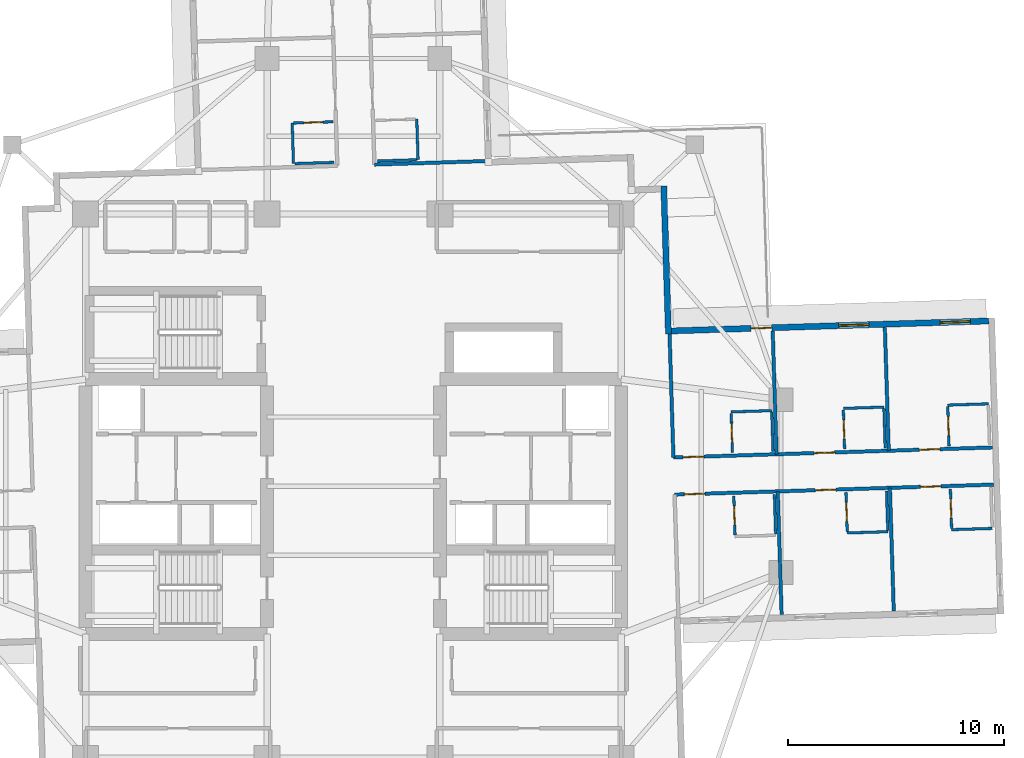
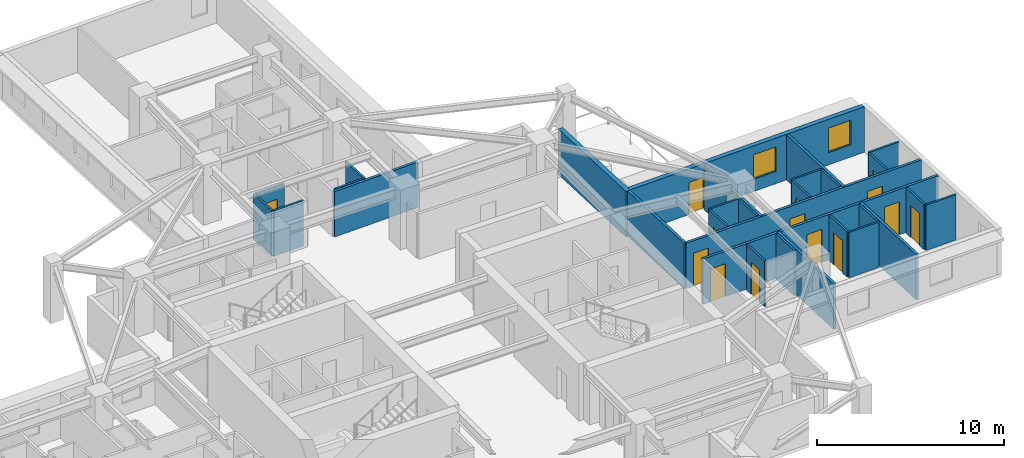
# One storey, part 7 of 14: 30 walls, 14 doors, 2 windows, 16 openings.
"""IFC4 building model written with IfcOpenShell, lengths in metres."""

from ifc_helpers import new_model, si_unit, direction, frame, frame_2d, origin, place, context, subcontext, project, spatial, rectangle, extrude, material, layer, layer_set, type_object, element, fill, save


model = new_model("IFC4")

# Units and contexts
model_context = context("Model", 3, precision=1e-05, world=origin(), true_north=direction((0.0, 1.0)))
body_context = subcontext(model_context, "Body", "Model", "MODEL_VIEW")
ifc_project = project(units=[si_unit("LENGTHUNIT", "METRE"), si_unit("AREAUNIT", "SQUARE_METRE"), si_unit("VOLUMEUNIT", "CUBIC_METRE"), si_unit("PLANEANGLEUNIT", "RADIAN"), si_unit("MASSUNIT", "GRAM", prefix="KILO")], contexts=[model_context])

# Site, building, storey
site_placement = place(None, origin())
site = spatial("IfcSite", under=ifc_project, at=site_placement, CompositionType="ELEMENT")
building_placement = place(site_placement, origin())
building = spatial("IfcBuilding", under=site, at=building_placement, Name="Qingluan Cross Belvedere", CompositionType="ELEMENT")
storey_placement = place(building_placement, frame((0.0, 0.0, 135.89990234375)))
storey = spatial("IfcBuildingStorey", under=building, at=storey_placement, Name="L34", CompositionType="ELEMENT", Elevation=135.89990234375)

# Wall, openings, doors
ifc_material_1 = material(Name="Gypsum plasterboard on steel stud acoustic partition", Category="steel")
ifc_layer_1 = layer(ifc_material_1, 0.159912109375, Name="CorridorPartition_160")
ifc_layer_set_1 = layer_set([ifc_layer_1], Name="Gypsum plasterboard on steel stud acoustic partition")
wall_type_1 = type_object("IfcWallType", Name="CorridorPartition_160", PredefinedType="PARTITIONING", material=ifc_layer_set_1)
wall_1_placement = place(storey_placement, frame((14.815673828125, 1.325927734375, 0.0), z_axis=(0.0, 0.0, 1.0), x_axis=(0.999506468759, 0.031413673903, 0.0)))
wall_1 = element("IfcWall", 1, at=wall_1_placement, inside=storey, type_object=wall_type_1, Name="Partition L34:E:c0", PredefinedType="PARTITIONING", context=body_context, shape_type="SweptSolid", body=[
    extrude(rectangle(XDim=14.781982421875, YDim=0.159912109375, at=frame_2d((7.39111328125, 0.0))), origin(), (0.0, 0.0, 1.0), 2.960205078125),
])
opening_1_placement = place(wall_1_placement, frame((0.449951171875, 0.0, 0.0)))
opening_1 = element("IfcOpeningElement", 2, at=opening_1_placement, cuts=wall_1, Name="Opening GD-10", PredefinedType="OPENING", context=body_context, shape_type="SweptSolid", body=[
    extrude(rectangle(XDim=0.9599609375, YDim=2.14990234375, at=frame_2d((0.47998046875, 1.074951171875))), frame((0.0, 0.08984375, 0.0), z_axis=(0.0, -1.0, 0.0), x_axis=(1.0, 0.0, 0.0)), (0.0, 0.0, 1.0), 0.179931640625),
])
opening_2_placement = place(wall_1_placement, frame((6.513916015625, 0.0, 0.0)))
opening_2 = element("IfcOpeningElement", 3, at=opening_2_placement, cuts=wall_1, Name="Opening GD-10", PredefinedType="OPENING", context=body_context, shape_type="SweptSolid", body=[
    extrude(rectangle(XDim=0.9599609375, YDim=2.14990234375, at=frame_2d((0.47998046875, 1.074951171875))), frame((0.0, 0.08984375, 0.0), z_axis=(0.0, -1.0, 0.0), x_axis=(1.0, 0.0, 0.0)), (0.0, 0.0, 1.0), 0.179931640625),
])
opening_3_placement = place(wall_1_placement, frame((11.385986328125, 0.0, 0.0)))
opening_3 = element("IfcOpeningElement", 4, at=opening_3_placement, cuts=wall_1, Name="Opening GD-10", PredefinedType="OPENING", context=body_context, shape_type="SweptSolid", body=[
    extrude(rectangle(XDim=0.9599609375, YDim=2.14990234375, at=frame_2d((0.47998046875, 1.074951171875))), frame((0.0, 0.08984375, 0.0), z_axis=(0.0, -1.0, 0.0), x_axis=(1.0, 0.0, 0.0)), (0.0, 0.0, 1.0), 0.179931640625),
])
ifc_material_2 = material(Name="Timber oak fire-rated acoustic guestroom door", Category="wood")
door_type_1 = type_object("IfcDoorType", Name="GuestEntryDoor_FD60", OperationType="NOTDEFINED", PredefinedType="DOOR", material=ifc_material_2)
door_1_placement = place(opening_1_placement, origin())
door_1 = element("IfcDoor", 5, at=door_1_placement, inside=storey, type_object=door_type_1, Name="Guest entry fire door 3401", OperationType="SINGLE_SWING_RIGHT", OverallHeight=2.14990234375, OverallWidth=0.9599609375, PredefinedType="DOOR", context=body_context, shape_type="SweptSolid", body=[
    extrude(rectangle(XDim=0.9599609375, YDim=2.14990234375, at=frame_2d((0.47998046875, 1.074951171875))), frame((0.0, 0.02490234375, 0.0), z_axis=(0.0, -1.0, 0.0), x_axis=(1.0, 0.0, 0.0)), (0.0, 0.0, 1.0), 0.050048828125),
])
fill(opening_1, door_1)
door_2_placement = place(opening_2_placement, origin())
door_2 = element("IfcDoor", 6, at=door_2_placement, inside=storey, type_object=door_type_1, Name="Guest entry fire door 3402", OperationType="SINGLE_SWING_RIGHT", OverallHeight=2.14990234375, OverallWidth=0.9599609375, PredefinedType="DOOR", context=body_context, shape_type="SweptSolid", body=[
    extrude(rectangle(XDim=0.9599609375, YDim=2.14990234375, at=frame_2d((0.47998046875, 1.074951171875))), frame((0.0, 0.02490234375, 0.0), z_axis=(0.0, -1.0, 0.0), x_axis=(1.0, 0.0, 0.0)), (0.0, 0.0, 1.0), 0.050048828125),
])
fill(opening_2, door_2)
door_3_placement = place(opening_3_placement, origin())
door_3 = element("IfcDoor", 7, at=door_3_placement, inside=storey, type_object=door_type_1, Name="Guest entry fire door 3403", OperationType="SINGLE_SWING_RIGHT", OverallHeight=2.14990234375, OverallWidth=0.9599609375, PredefinedType="DOOR", context=body_context, shape_type="SweptSolid", body=[
    extrude(rectangle(XDim=0.9599609375, YDim=2.14990234375, at=frame_2d((0.47998046875, 1.074951171875))), frame((0.0, 0.02490234375, 0.0), z_axis=(0.0, -1.0, 0.0), x_axis=(1.0, 0.0, 0.0)), (0.0, 0.0, 1.0), 0.050048828125),
])
fill(opening_3, door_3)

# Walls
for number, where, z_axis, x_axis, name in (
    (8, (14.815673828125, 1.325927734375, 0.0), (0.0, 0.0, 1.0), (-0.031414891017, 0.999506430506, 0.0), "Partition L34:E:s0"),
    (9, (19.59130859375, 1.47607421875, 0.0), (0.0, 0.0, 1.0), (-0.031414891017, 0.999506430506, 0.0), "Partition L34:E:d0_0"),
):
    element("IfcWall", number, at=place(storey_placement, frame(where, z_axis=z_axis, x_axis=x_axis)), inside=storey, type_object=wall_type_1, Name=name, PredefinedType="PARTITIONING", context=body_context, shape_type="SweptSolid", body=[
        extrude(rectangle(XDim=5.712158203125, YDim=0.159912109375, at=frame_2d((2.85595703125, 0.0))), origin(), (0.0, 0.0, 1.0), 2.960205078125),
    ])
wall_2_placement = place(storey_placement, frame((24.78369140625, 1.639404296875, 0.0), z_axis=(0.0, 0.0, 1.0), x_axis=(-0.031416233126, 0.999506388322, 0.0)))
element("IfcWall", 10, at=wall_2_placement, inside=storey, type_object=wall_type_1, Name="Partition L34:E:d0_1", PredefinedType="PARTITIONING", context=body_context, shape_type="SweptSolid", body=[
    extrude(rectangle(XDim=5.7119140625, YDim=0.159912109375, at=frame_2d((2.85595703125, 0.0))), origin(), (0.0, 0.0, 1.0), 2.960205078125),
])

# Wall, openings, doors
wall_3_placement = place(storey_placement, frame((14.86962890625, -0.39306640625, 0.0), z_axis=(0.0, 0.0, 1.0), x_axis=(0.999506468759, 0.031413673903, 0.0)))
wall_3 = element("IfcWall", 11, at=wall_3_placement, inside=storey, type_object=wall_type_1, Name="Partition L34:E:c1", PredefinedType="PARTITIONING", context=body_context, shape_type="SweptSolid", body=[
    extrude(rectangle(XDim=14.781982421875, YDim=0.159912109375, at=frame_2d((7.39111328125, 0.0))), origin(), (0.0, 0.0, 1.0), 2.960205078125),
])
opening_4_placement = place(wall_3_placement, frame((0.449951171875, 0.0, 0.0)))
opening_4 = element("IfcOpeningElement", 12, at=opening_4_placement, cuts=wall_3, Name="Opening GD-10", PredefinedType="OPENING", context=body_context, shape_type="SweptSolid", body=[
    extrude(rectangle(XDim=0.9599609375, YDim=2.14990234375, at=frame_2d((0.47998046875, 1.074951171875))), frame((0.0, 0.08984375, 0.0), z_axis=(0.0, -1.0, 0.0), x_axis=(1.0, 0.0, 0.0)), (0.0, 0.0, 1.0), 0.179931640625),
])
opening_5_placement = place(wall_3_placement, frame((6.513916015625, 0.0, 0.0)))
opening_5 = element("IfcOpeningElement", 13, at=opening_5_placement, cuts=wall_3, Name="Opening GD-10", PredefinedType="OPENING", context=body_context, shape_type="SweptSolid", body=[
    extrude(rectangle(XDim=0.9599609375, YDim=2.14990234375, at=frame_2d((0.47998046875, 1.074951171875))), frame((0.0, 0.08984375, 0.0), z_axis=(0.0, -1.0, 0.0), x_axis=(1.0, 0.0, 0.0)), (0.0, 0.0, 1.0), 0.179931640625),
])
opening_6_placement = place(wall_3_placement, frame((11.385986328125, 0.0, 0.0)))
opening_6 = element("IfcOpeningElement", 14, at=opening_6_placement, cuts=wall_3, Name="Opening GD-10", PredefinedType="OPENING", context=body_context, shape_type="SweptSolid", body=[
    extrude(rectangle(XDim=0.9599609375, YDim=2.14990234375, at=frame_2d((0.47998046875, 1.074951171875))), frame((0.0, 0.08984375, 0.0), z_axis=(0.0, -1.0, 0.0), x_axis=(1.0, 0.0, 0.0)), (0.0, 0.0, 1.0), 0.179931640625),
])
door_4_placement = place(opening_4_placement, origin())
door_4 = element("IfcDoor", 15, at=door_4_placement, inside=storey, type_object=door_type_1, Name="Guest entry fire door 3404", OperationType="SINGLE_SWING_RIGHT", OverallHeight=2.14990234375, OverallWidth=0.9599609375, PredefinedType="DOOR", context=body_context, shape_type="SweptSolid", body=[
    extrude(rectangle(XDim=0.9599609375, YDim=2.14990234375, at=frame_2d((0.47998046875, 1.074951171875))), frame((0.0, 0.02490234375, 0.0), z_axis=(0.0, -1.0, 0.0), x_axis=(1.0, 0.0, 0.0)), (0.0, 0.0, 1.0), 0.050048828125),
])
fill(opening_4, door_4)
door_5_placement = place(opening_5_placement, origin())
door_5 = element("IfcDoor", 16, at=door_5_placement, inside=storey, type_object=door_type_1, Name="Guest entry fire door 3405", OperationType="SINGLE_SWING_RIGHT", OverallHeight=2.14990234375, OverallWidth=0.9599609375, PredefinedType="DOOR", context=body_context, shape_type="SweptSolid", body=[
    extrude(rectangle(XDim=0.9599609375, YDim=2.14990234375, at=frame_2d((0.47998046875, 1.074951171875))), frame((0.0, 0.02490234375, 0.0), z_axis=(0.0, -1.0, 0.0), x_axis=(1.0, 0.0, 0.0)), (0.0, 0.0, 1.0), 0.050048828125),
])
fill(opening_5, door_5)
door_6_placement = place(opening_6_placement, origin())
door_6 = element("IfcDoor", 17, at=door_6_placement, inside=storey, type_object=door_type_1, Name="Guest entry fire door 3406", OperationType="SINGLE_SWING_RIGHT", OverallHeight=2.14990234375, OverallWidth=0.9599609375, PredefinedType="DOOR", context=body_context, shape_type="SweptSolid", body=[
    extrude(rectangle(XDim=0.9599609375, YDim=2.14990234375, at=frame_2d((0.47998046875, 1.074951171875))), frame((0.0, 0.02490234375, 0.0), z_axis=(0.0, -1.0, 0.0), x_axis=(1.0, 0.0, 0.0)), (0.0, 0.0, 1.0), 0.050048828125),
])
fill(opening_6, door_6)

# Walls
for number, where, z_axis, x_axis, name in (
    (18, (19.645263671875, -0.242919921875, 0.0), (0.0, 0.0, 1.0), (0.031414891017, -0.999506430506, 0.0), "Partition L34:E:d1_0"),
    (19, (24.837890625, -0.079833984375, 0.0), (0.0, 0.0, 1.0), (0.031372191763, -0.999507771648, 0.0), "Partition L34:E:d1_1"),
):
    element("IfcWall", number, at=place(storey_placement, frame(where, z_axis=z_axis, x_axis=x_axis)), inside=storey, type_object=wall_type_1, Name=name, PredefinedType="PARTITIONING", context=body_context, shape_type="SweptSolid", body=[
        extrude(rectangle(XDim=5.712158203125, YDim=0.159912109375, at=frame_2d((2.85595703125, 0.0))), origin(), (0.0, 0.0, 1.0), 2.960205078125),
    ])
wall_4_placement = place(storey_placement, frame((0.972900390625, 14.887939453125, 0.0), z_axis=(0.0, 0.0, 1.0), x_axis=(0.99950701053, 0.031396431354, 0.0)))
element("IfcWall", 20, at=wall_4_placement, inside=storey, type_object=wall_type_1, Name="Partition L34:N:s0", PredefinedType="PARTITIONING", context=body_context, shape_type="SweptSolid", body=[
    extrude(rectangle(XDim=5.280029296875, YDim=0.159912109375, at=frame_2d((2.64013671875, 0.0))), origin(), (0.0, 0.0, 1.0), 2.960205078125),
])

# Wall, opening, door
ifc_material_3 = material(Name="Moisture-resistant gypsum board lining")
ifc_layer_2 = layer(ifc_material_3, 0.1201171875, Name="EnsuiteWetPartition_120")
ifc_layer_set_2 = layer_set([ifc_layer_2], Name="Moisture-resistant gypsum board lining")
wall_type_2 = type_object("IfcWallType", Name="EnsuiteWetPartition_120", PredefinedType="PARTITIONING", material=ifc_layer_set_2)
wall_5_placement = place(storey_placement, frame((17.5478515625, 1.552001953125, 0.0), z_axis=(0.0, 0.0, 1.0), x_axis=(-0.031389704724, 0.999507221803, 0.0)))
wall_5 = element("IfcWall", 21, at=wall_5_placement, inside=storey, type_object=wall_type_2, Name="Partition L34:E:bs0_0", PredefinedType="PARTITIONING", context=body_context, shape_type="SweptSolid", body=[
    extrude(rectangle(XDim=1.820068359375, YDim=0.1201171875, at=frame_2d((0.91015625, 0.0))), origin(), (0.0, 0.0, 1.0), 2.960205078125),
])
opening_7_placement = place(wall_5_placement, frame((0.469970703125, 0.0, 0.0)))
opening_7 = element("IfcOpeningElement", 22, at=opening_7_placement, cuts=wall_5, Name="Opening BD-09", PredefinedType="OPENING", context=body_context, shape_type="SweptSolid", body=[
    extrude(rectangle(XDim=0.8798828125, YDim=2.10009765625, at=frame_2d((0.43994140625, 1.050048828125))), frame((0.0, 0.070068359375, 0.0), z_axis=(0.0, -1.0, 0.0), x_axis=(1.0, 0.0, 0.0)), (0.0, 0.0, 1.0), 0.14013671875),
])
ifc_material_4 = material(Name="Moisture-sealed timber en-suite door", Category="wood")
door_type_2 = type_object("IfcDoorType", Name="BathroomDoor_880", OperationType="NOTDEFINED", PredefinedType="DOOR", material=ifc_material_4)
door_7_placement = place(opening_7_placement, origin())
door_7 = element("IfcDoor", 23, at=door_7_placement, inside=storey, type_object=door_type_2, Name="Bathroom door 3401", OperationType="SINGLE_SWING_LEFT", OverallHeight=2.10009765625, OverallWidth=0.8798828125, PredefinedType="DOOR", context=body_context, shape_type="SweptSolid", body=[
    extrude(rectangle(XDim=0.8798828125, YDim=2.10009765625, at=frame_2d((0.43994140625, 1.050048828125))), frame((0.0, 0.02490234375, 0.0), z_axis=(0.0, -1.0, 0.0), x_axis=(1.0, 0.0, 0.0)), (0.0, 0.0, 1.0), 0.050048828125),
])
fill(opening_7, door_7)

# Walls
wall_6_placement = place(storey_placement, frame((19.427001953125, 1.611083984375, 0.0), z_axis=(0.0, 0.0, 1.0), x_axis=(-0.031389704724, 0.999507221803, 0.0)))
element("IfcWall", 24, at=wall_6_placement, inside=storey, type_object=wall_type_2, Name="Partition L34:E:bw0_0", PredefinedType="PARTITIONING", context=body_context, shape_type="SweptSolid", body=[
    extrude(rectangle(XDim=1.820068359375, YDim=0.1201171875, at=frame_2d((0.91015625, 0.0))), origin(), (0.0, 0.0, 1.0), 2.960205078125),
])
wall_7_placement = place(storey_placement, frame((17.48876953125, 3.43603515625, 0.0), z_axis=(0.0, 0.0, 1.0), x_axis=(0.999506103526, 0.031425292588, 0.0)))
element("IfcWall", 25, at=wall_7_placement, inside=storey, type_object=wall_type_2, Name="Partition L34:E:bn0_0", PredefinedType="PARTITIONING", context=body_context, shape_type="SweptSolid", body=[
    extrude(rectangle(XDim=1.880126953125, YDim=0.1201171875, at=frame_2d((0.93994140625, 0.0))), origin(), (0.0, 0.0, 1.0), 2.960205078125),
])

# Wall, opening, door
wall_8_placement = place(storey_placement, frame((22.740234375, 1.715087890625, 0.0), z_axis=(0.0, 0.0, 1.0), x_axis=(-0.031389704724, 0.999507221803, 0.0)))
wall_8 = element("IfcWall", 26, at=wall_8_placement, inside=storey, type_object=wall_type_2, Name="Partition L34:E:bs0_1", PredefinedType="PARTITIONING", context=body_context, shape_type="SweptSolid", body=[
    extrude(rectangle(XDim=1.820068359375, YDim=0.1201171875, at=frame_2d((0.91015625, 0.0))), origin(), (0.0, 0.0, 1.0), 2.960205078125),
])
opening_8_placement = place(wall_8_placement, frame((0.469970703125, 0.0, 0.0)))
opening_8 = element("IfcOpeningElement", 27, at=opening_8_placement, cuts=wall_8, Name="Opening BD-09", PredefinedType="OPENING", context=body_context, shape_type="SweptSolid", body=[
    extrude(rectangle(XDim=0.8798828125, YDim=2.10009765625, at=frame_2d((0.43994140625, 1.050048828125))), frame((0.0, 0.070068359375, 0.0), z_axis=(0.0, -1.0, 0.0), x_axis=(1.0, 0.0, 0.0)), (0.0, 0.0, 1.0), 0.14013671875),
])
door_8_placement = place(opening_8_placement, origin())
door_8 = element("IfcDoor", 28, at=door_8_placement, inside=storey, type_object=door_type_2, Name="Bathroom door 3402", OperationType="SINGLE_SWING_LEFT", OverallHeight=2.10009765625, OverallWidth=0.8798828125, PredefinedType="DOOR", context=body_context, shape_type="SweptSolid", body=[
    extrude(rectangle(XDim=0.8798828125, YDim=2.10009765625, at=frame_2d((0.43994140625, 1.050048828125))), frame((0.0, 0.02490234375, 0.0), z_axis=(0.0, -1.0, 0.0), x_axis=(1.0, 0.0, 0.0)), (0.0, 0.0, 1.0), 0.050048828125),
])
fill(opening_8, door_8)

# Walls
wall_9_placement = place(storey_placement, frame((24.619384765625, 1.774169921875, 0.0), z_axis=(0.0, 0.0, 1.0), x_axis=(-0.031389704724, 0.999507221803, 0.0)))
element("IfcWall", 29, at=wall_9_placement, inside=storey, type_object=wall_type_2, Name="Partition L34:E:bw0_1", PredefinedType="PARTITIONING", context=body_context, shape_type="SweptSolid", body=[
    extrude(rectangle(XDim=1.820068359375, YDim=0.1201171875, at=frame_2d((0.91015625, 0.0))), origin(), (0.0, 0.0, 1.0), 2.960205078125),
])
wall_10_placement = place(storey_placement, frame((22.68115234375, 3.59912109375, 0.0), z_axis=(0.0, 0.0, 1.0), x_axis=(0.999506103526, 0.031425292588, 0.0)))
element("IfcWall", 30, at=wall_10_placement, inside=storey, type_object=wall_type_2, Name="Partition L34:E:bn0_1", PredefinedType="PARTITIONING", context=body_context, shape_type="SweptSolid", body=[
    extrude(rectangle(XDim=1.880126953125, YDim=0.1201171875, at=frame_2d((0.93994140625, 0.0))), origin(), (0.0, 0.0, 1.0), 2.960205078125),
])

# Wall, opening, door
wall_11_placement = place(storey_placement, frame((27.574951171875, 1.8671875, 0.0), z_axis=(0.0, 0.0, 1.0), x_axis=(-0.031389704724, 0.999507221803, 0.0)))
wall_11 = element("IfcWall", 31, at=wall_11_placement, inside=storey, type_object=wall_type_2, Name="Partition L34:E:bs0_2", PredefinedType="PARTITIONING", context=body_context, shape_type="SweptSolid", body=[
    extrude(rectangle(XDim=1.820068359375, YDim=0.1201171875, at=frame_2d((0.91015625, 0.0))), origin(), (0.0, 0.0, 1.0), 2.960205078125),
])
opening_9_placement = place(wall_11_placement, frame((0.469970703125, 0.0, 0.0)))
opening_9 = element("IfcOpeningElement", 32, at=opening_9_placement, cuts=wall_11, Name="Opening BD-09", PredefinedType="OPENING", context=body_context, shape_type="SweptSolid", body=[
    extrude(rectangle(XDim=0.8798828125, YDim=2.10009765625, at=frame_2d((0.43994140625, 1.050048828125))), frame((0.0, 0.070068359375, 0.0), z_axis=(0.0, -1.0, 0.0), x_axis=(1.0, 0.0, 0.0)), (0.0, 0.0, 1.0), 0.14013671875),
])
door_9_placement = place(opening_9_placement, origin())
door_9 = element("IfcDoor", 33, at=door_9_placement, inside=storey, type_object=door_type_2, Name="Bathroom door 3403", OperationType="SINGLE_SWING_LEFT", OverallHeight=2.10009765625, OverallWidth=0.8798828125, PredefinedType="DOOR", context=body_context, shape_type="SweptSolid", body=[
    extrude(rectangle(XDim=0.8798828125, YDim=2.10009765625, at=frame_2d((0.43994140625, 1.050048828125))), frame((0.0, 0.02490234375, 0.0), z_axis=(0.0, -1.0, 0.0), x_axis=(1.0, 0.0, 0.0)), (0.0, 0.0, 1.0), 0.050048828125),
])
fill(opening_9, door_9)

# Wall
wall_12_placement = place(storey_placement, frame((27.515869140625, 3.751220703125, 0.0), z_axis=(0.0, 0.0, 1.0), x_axis=(0.999505975261, 0.031429371883, 0.0)))
element("IfcWall", 34, at=wall_12_placement, inside=storey, type_object=wall_type_2, Name="Partition L34:E:bn0_2", PredefinedType="PARTITIONING", context=body_context, shape_type="SweptSolid", body=[
    extrude(rectangle(XDim=1.8798828125, YDim=0.1201171875, at=frame_2d((0.93994140625, 0.0))), origin(), (0.0, 0.0, 1.0), 2.960205078125),
])

# Wall, opening, door
wall_13_placement = place(storey_placement, frame((17.66796875, -2.26611328125, 0.0), z_axis=(0.0, 0.0, 1.0), x_axis=(-0.03152371574, 0.999503004171, 0.0)))
wall_13 = element("IfcWall", 35, at=wall_13_placement, inside=storey, type_object=wall_type_2, Name="Partition L34:E:bs1_0", PredefinedType="PARTITIONING", context=body_context, shape_type="SweptSolid", body=[
    extrude(rectangle(XDim=1.820068359375, YDim=0.1201171875, at=frame_2d((0.91015625, 0.0))), origin(), (0.0, 0.0, 1.0), 2.960205078125),
])
opening_10_placement = place(wall_13_placement, frame((0.469970703125, 0.0, 0.0)))
opening_10 = element("IfcOpeningElement", 36, at=opening_10_placement, cuts=wall_13, Name="Opening BD-09", PredefinedType="OPENING", context=body_context, shape_type="SweptSolid", body=[
    extrude(rectangle(XDim=0.8798828125, YDim=2.10009765625, at=frame_2d((0.43994140625, 1.050048828125))), frame((0.0, 0.070068359375, 0.0), z_axis=(0.0, -1.0, 0.0), x_axis=(1.0, 0.0, 0.0)), (0.0, 0.0, 1.0), 0.14013671875),
])
door_10_placement = place(opening_10_placement, origin())
door_10 = element("IfcDoor", 37, at=door_10_placement, inside=storey, type_object=door_type_2, Name="Bathroom door 3404", OperationType="SINGLE_SWING_LEFT", OverallHeight=2.10009765625, OverallWidth=0.8798828125, PredefinedType="DOOR", context=body_context, shape_type="SweptSolid", body=[
    extrude(rectangle(XDim=0.8798828125, YDim=2.10009765625, at=frame_2d((0.43994140625, 1.050048828125))), frame((0.0, 0.02490234375, 0.0), z_axis=(0.0, -1.0, 0.0), x_axis=(1.0, 0.0, 0.0)), (0.0, 0.0, 1.0), 0.050048828125),
])
fill(opening_10, door_10)

# Wall
wall_14_placement = place(storey_placement, frame((19.547119140625, -2.20703125, 0.0), z_axis=(0.0, 0.0, 1.0), x_axis=(-0.03152371574, 0.999503004171, 0.0)))
element("IfcWall", 38, at=wall_14_placement, inside=storey, type_object=wall_type_2, Name="Partition L34:E:bw1_0", PredefinedType="PARTITIONING", context=body_context, shape_type="SweptSolid", body=[
    extrude(rectangle(XDim=1.820068359375, YDim=0.1201171875, at=frame_2d((0.91015625, 0.0))), origin(), (0.0, 0.0, 1.0), 2.960205078125),
])

# Wall, opening, door
wall_15_placement = place(storey_placement, frame((22.8603515625, -2.10302734375, 0.0), z_axis=(0.0, 0.0, 1.0), x_axis=(-0.031389704724, 0.999507221803, 0.0)))
wall_15 = element("IfcWall", 39, at=wall_15_placement, inside=storey, type_object=wall_type_2, Name="Partition L34:E:bs1_1", PredefinedType="PARTITIONING", context=body_context, shape_type="SweptSolid", body=[
    extrude(rectangle(XDim=1.820068359375, YDim=0.1201171875, at=frame_2d((0.91015625, 0.0))), origin(), (0.0, 0.0, 1.0), 2.960205078125),
])
opening_11_placement = place(wall_15_placement, frame((0.469970703125, 0.0, 0.0)))
opening_11 = element("IfcOpeningElement", 40, at=opening_11_placement, cuts=wall_15, Name="Opening BD-09", PredefinedType="OPENING", context=body_context, shape_type="SweptSolid", body=[
    extrude(rectangle(XDim=0.8798828125, YDim=2.10009765625, at=frame_2d((0.43994140625, 1.050048828125))), frame((0.0, 0.070068359375, 0.0), z_axis=(0.0, -1.0, 0.0), x_axis=(1.0, 0.0, 0.0)), (0.0, 0.0, 1.0), 0.14013671875),
])
door_11_placement = place(opening_11_placement, origin())
door_11 = element("IfcDoor", 41, at=door_11_placement, inside=storey, type_object=door_type_2, Name="Bathroom door 3405", OperationType="SINGLE_SWING_LEFT", OverallHeight=2.10009765625, OverallWidth=0.8798828125, PredefinedType="DOOR", context=body_context, shape_type="SweptSolid", body=[
    extrude(rectangle(XDim=0.8798828125, YDim=2.10009765625, at=frame_2d((0.43994140625, 1.050048828125))), frame((0.0, 0.02490234375, 0.0), z_axis=(0.0, -1.0, 0.0), x_axis=(1.0, 0.0, 0.0)), (0.0, 0.0, 1.0), 0.050048828125),
])
fill(opening_11, door_11)

# Walls
wall_16_placement = place(storey_placement, frame((24.739501953125, -2.0439453125, 0.0), z_axis=(0.0, 0.0, 1.0), x_axis=(-0.03152371574, 0.999503004171, 0.0)))
element("IfcWall", 42, at=wall_16_placement, inside=storey, type_object=wall_type_2, Name="Partition L34:E:bw1_1", PredefinedType="PARTITIONING", context=body_context, shape_type="SweptSolid", body=[
    extrude(rectangle(XDim=1.820068359375, YDim=0.1201171875, at=frame_2d((0.91015625, 0.0))), origin(), (0.0, 0.0, 1.0), 2.960205078125),
])
wall_17_placement = place(storey_placement, frame((22.8623046875, -2.16796875, 0.0), z_axis=(0.0, 0.0, 1.0), x_axis=(0.999506103526, 0.031425292588, 0.0)))
element("IfcWall", 43, at=wall_17_placement, inside=storey, type_object=wall_type_2, Name="Partition L34:E:bc1_1", PredefinedType="PARTITIONING", context=body_context, shape_type="SweptSolid", body=[
    extrude(rectangle(XDim=1.880126953125, YDim=0.1201171875, at=frame_2d((0.93994140625, 0.0))), origin(), (0.0, 0.0, 1.0), 2.960205078125),
])

# Wall, opening, door
wall_18_placement = place(storey_placement, frame((27.69482421875, -1.950927734375, 0.0), z_axis=(0.0, 0.0, 1.0), x_axis=(-0.031389704724, 0.999507221803, 0.0)))
wall_18 = element("IfcWall", 44, at=wall_18_placement, inside=storey, type_object=wall_type_2, Name="Partition L34:E:bs1_2", PredefinedType="PARTITIONING", context=body_context, shape_type="SweptSolid", body=[
    extrude(rectangle(XDim=1.820068359375, YDim=0.1201171875, at=frame_2d((0.91015625, 0.0))), origin(), (0.0, 0.0, 1.0), 2.960205078125),
])
opening_12_placement = place(wall_18_placement, frame((0.469970703125, 0.0, 0.0)))
opening_12 = element("IfcOpeningElement", 45, at=opening_12_placement, cuts=wall_18, Name="Opening BD-09", PredefinedType="OPENING", context=body_context, shape_type="SweptSolid", body=[
    extrude(rectangle(XDim=0.8798828125, YDim=2.10009765625, at=frame_2d((0.43994140625, 1.050048828125))), frame((0.0, 0.070068359375, 0.0), z_axis=(0.0, -1.0, 0.0), x_axis=(1.0, 0.0, 0.0)), (0.0, 0.0, 1.0), 0.14013671875),
])
door_12_placement = place(opening_12_placement, origin())
door_12 = element("IfcDoor", 46, at=door_12_placement, inside=storey, type_object=door_type_2, Name="Bathroom door 3406", OperationType="SINGLE_SWING_LEFT", OverallHeight=2.10009765625, OverallWidth=0.8798828125, PredefinedType="DOOR", context=body_context, shape_type="SweptSolid", body=[
    extrude(rectangle(XDim=0.8798828125, YDim=2.10009765625, at=frame_2d((0.43994140625, 1.050048828125))), frame((0.0, 0.02490234375, 0.0), z_axis=(0.0, -1.0, 0.0), x_axis=(1.0, 0.0, 0.0)), (0.0, 0.0, 1.0), 0.050048828125),
])
fill(opening_12, door_12)

# Walls
wall_19_placement = place(storey_placement, frame((27.697021484375, -2.01611328125, 0.0), z_axis=(0.0, 0.0, 1.0), x_axis=(0.999506103526, 0.031425292588, 0.0)))
element("IfcWall", 47, at=wall_19_placement, inside=storey, type_object=wall_type_2, Name="Partition L34:E:bc1_2", PredefinedType="PARTITIONING", context=body_context, shape_type="SweptSolid", body=[
    extrude(rectangle(XDim=1.880126953125, YDim=0.1201171875, at=frame_2d((0.93994140625, 0.0))), origin(), (0.0, 0.0, 1.0), 2.960205078125),
])
wall_20_placement = place(storey_placement, frame((1.107666015625, 15.05224609375, 0.0), z_axis=(0.0, 0.0, 1.0), x_axis=(0.999507221803, 0.031389704724, 0.0)))
element("IfcWall", 48, at=wall_20_placement, inside=storey, type_object=wall_type_2, Name="Partition L34:N:bw0_0", PredefinedType="PARTITIONING", context=body_context, shape_type="SweptSolid", body=[
    extrude(rectangle(XDim=1.820068359375, YDim=0.1201171875, at=frame_2d((0.91015625, 0.0))), origin(), (0.0, 0.0, 1.0), 2.960205078125),
])
wall_21_placement = place(storey_placement, frame((2.99169921875, 15.111328125, 0.0), z_axis=(0.0, 0.0, 1.0), x_axis=(-0.031295563454, 0.999510173889, 0.0)))
element("IfcWall", 49, at=wall_21_placement, inside=storey, type_object=wall_type_2, Name="Partition L34:N:bn0_0", PredefinedType="PARTITIONING", context=body_context, shape_type="SweptSolid", body=[
    extrude(rectangle(XDim=1.880126953125, YDim=0.1201171875, at=frame_2d((0.93994140625, 0.0))), origin(), (0.0, 0.0, 1.0), 2.960205078125),
])

# Wall, opening, door
wall_22_placement = place(storey_placement, frame((-2.769287109375, 16.811279296875, 0.0), z_axis=(0.0, 0.0, 1.0), x_axis=(0.999507221803, 0.031389704724, 0.0)))
wall_22 = element("IfcWall", 50, at=wall_22_placement, inside=storey, type_object=wall_type_2, Name="Partition L34:N:bs1_0", PredefinedType="PARTITIONING", context=body_context, shape_type="SweptSolid", body=[
    extrude(rectangle(XDim=1.820068359375, YDim=0.1201171875, at=frame_2d((0.91015625, 0.0))), origin(), (0.0, 0.0, 1.0), 2.960205078125),
])
opening_13_placement = place(wall_22_placement, frame((0.469970703125, 0.0, 0.0)))
opening_13 = element("IfcOpeningElement", 51, at=opening_13_placement, cuts=wall_22, Name="Opening BD-09", PredefinedType="OPENING", context=body_context, shape_type="SweptSolid", body=[
    extrude(rectangle(XDim=0.8798828125, YDim=2.10009765625, at=frame_2d((0.43994140625, 1.050048828125))), frame((0.0, 0.070068359375, 0.0), z_axis=(0.0, -1.0, 0.0), x_axis=(1.0, 0.0, 0.0)), (0.0, 0.0, 1.0), 0.14013671875),
])
door_13_placement = place(opening_13_placement, origin())
door_13 = element("IfcDoor", 52, at=door_13_placement, inside=storey, type_object=door_type_2, Name="Bathroom door 3413", OperationType="SINGLE_SWING_LEFT", OverallHeight=2.10009765625, OverallWidth=0.8798828125, PredefinedType="DOOR", context=body_context, shape_type="SweptSolid", body=[
    extrude(rectangle(XDim=0.8798828125, YDim=2.10009765625, at=frame_2d((0.43994140625, 1.050048828125))), frame((0.0, 0.02490234375, 0.0), z_axis=(0.0, -1.0, 0.0), x_axis=(1.0, 0.0, 0.0)), (0.0, 0.0, 1.0), 0.050048828125),
])
fill(opening_13, door_13)

# Walls
wall_23_placement = place(storey_placement, frame((-2.71044921875, 14.93212890625, 0.0), z_axis=(0.0, 0.0, 1.0), x_axis=(0.999503004171, 0.03152371574, 0.0)))
element("IfcWall", 53, at=wall_23_placement, inside=storey, type_object=wall_type_2, Name="Partition L34:N:bw1_0", PredefinedType="PARTITIONING", context=body_context, shape_type="SweptSolid", body=[
    extrude(rectangle(XDim=1.820068359375, YDim=0.1201171875, at=frame_2d((0.91015625, 0.0))), origin(), (0.0, 0.0, 1.0), 2.960205078125),
])
wall_24_placement = place(storey_placement, frame((-2.775390625, 14.93017578125, 0.0), z_axis=(0.0, 0.0, 1.0), x_axis=(-0.031425292588, 0.999506103526, 0.0)))
element("IfcWall", 54, at=wall_24_placement, inside=storey, type_object=wall_type_2, Name="Partition L34:N:bc1_0", PredefinedType="PARTITIONING", context=body_context, shape_type="SweptSolid", body=[
    extrude(rectangle(XDim=1.880126953125, YDim=0.1201171875, at=frame_2d((0.93994140625, 0.0))), origin(), (0.0, 0.0, 1.0), 2.960205078125),
])

# Wall, openings, windows, door
ifc_material_5 = material(Name="Precast concrete C45", Category="concrete")
ifc_layer_3 = layer(ifc_material_5, 0.280029296875, Name="PrecastFacadeWall_280")
ifc_layer_set_3 = layer_set([ifc_layer_3], Name="Precast concrete C45")
wall_type_3 = type_object("IfcWallType", Name="PrecastFacadeWall_280", PredefinedType="STANDARD", material=ifc_layer_set_3)
wall_25_placement = place(storey_placement, frame((29.414306640625, 7.647705078125, 0.0), z_axis=(0.0, 0.0, 1.0), x_axis=(-0.999506714454, -0.031405855522, 0.0)))
wall_25 = element("IfcWall", 55, at=wall_25_placement, inside=storey, type_object=wall_type_3, Name="Facade wall L34-EB", PredefinedType="STANDARD", context=body_context, shape_type="SweptSolid", body=[
    extrude(rectangle(XDim=14.7001953125, YDim=0.280029296875, at=frame_2d((7.35009765625, 0.0))), origin(), (0.0, 0.0, 1.0), 2.97021484375),
])
opening_14_placement = place(wall_25_placement, frame((0.85009765625, 0.0, 0.800048828125)))
opening_14 = element("IfcOpeningElement", 56, at=opening_14_placement, cuts=wall_25, Name="Opening W-01", PredefinedType="OPENING", context=body_context, shape_type="SweptSolid", body=[
    extrude(rectangle(XDim=1.39990234375, YDim=1.60009765625, at=frame_2d((0.699951171875, 0.800048828125))), frame((0.0, 0.14990234375, 0.0), z_axis=(0.0, -1.0, 0.0), x_axis=(1.0, 0.0, 0.0)), (0.0, 0.0, 1.0), 0.300048828125),
])
opening_15_placement = place(wall_25_placement, frame((5.550048828125, 0.0, 0.800048828125)))
opening_15 = element("IfcOpeningElement", 57, at=opening_15_placement, cuts=wall_25, Name="Opening W-01", PredefinedType="OPENING", context=body_context, shape_type="SweptSolid", body=[
    extrude(rectangle(XDim=1.39990234375, YDim=1.60009765625, at=frame_2d((0.699951171875, 0.800048828125))), frame((0.0, 0.14990234375, 0.0), z_axis=(0.0, -1.0, 0.0), x_axis=(1.0, 0.0, 0.0)), (0.0, 0.0, 1.0), 0.300048828125),
])
opening_16_placement = place(wall_25_placement, frame((10.050048828125, 0.0, 0.0)))
opening_16 = element("IfcOpeningElement", 58, at=opening_16_placement, cuts=wall_25, Name="Opening WD-10", PredefinedType="OPENING", context=body_context, shape_type="SweptSolid", body=[
    extrude(rectangle(XDim=0.9599609375, YDim=2.10009765625, at=frame_2d((0.47998046875, 1.050048828125))), frame((0.0, 0.14990234375, 0.0), z_axis=(0.0, -1.0, 0.0), x_axis=(1.0, 0.0, 0.0)), (0.0, 0.0, 1.0), 0.300048828125),
])
ifc_material_6 = material(Name="Thermally broken triple Low-E glass in aluminium frame", Category="aluminium")
window_type = type_object("IfcWindowType", Name="TriRibbonWin_1400x1600", PartitioningType="SINGLE_PANEL", PredefinedType="WINDOW", material=ifc_material_6)
window_1_placement = place(opening_14_placement, origin())
window_1 = element("IfcWindow", 59, at=window_1_placement, inside=storey, type_object=window_type, Name="Ribbon window L34-EB-1", OverallHeight=1.60009765625, OverallWidth=1.39990234375, PartitioningType="SINGLE_PANEL", PredefinedType="WINDOW", context=body_context, shape_type="SweptSolid", body=[
    extrude(rectangle(XDim=1.39990234375, YDim=1.60009765625, at=frame_2d((0.699951171875, 0.800048828125))), frame((0.0, 0.030029296875, 0.0), z_axis=(0.0, -1.0, 0.0), x_axis=(1.0, 0.0, 0.0)), (0.0, 0.0, 1.0), 0.06005859375),
])
fill(opening_14, window_1)
window_2_placement = place(opening_15_placement, origin())
window_2 = element("IfcWindow", 60, at=window_2_placement, inside=storey, type_object=window_type, Name="Ribbon window L34-EB-2", OverallHeight=1.60009765625, OverallWidth=1.39990234375, PartitioningType="SINGLE_PANEL", PredefinedType="WINDOW", context=body_context, shape_type="SweptSolid", body=[
    extrude(rectangle(XDim=1.39990234375, YDim=1.60009765625, at=frame_2d((0.699951171875, 0.800048828125))), frame((0.0, 0.030029296875, 0.0), z_axis=(0.0, -1.0, 0.0), x_axis=(1.0, 0.0, 0.0)), (0.0, 0.0, 1.0), 0.06005859375),
])
fill(opening_15, window_2)
ifc_material_7 = material(Name="Thermally broken aluminium and Low-E glass", Category="aluminium")
door_type_3 = type_object("IfcDoorType", Name="WinterGardenDoor_096", OperationType="NOTDEFINED", PredefinedType="DOOR", material=ifc_material_7)
door_14_placement = place(opening_16_placement, origin())
door_14 = element("IfcDoor", 61, at=door_14_placement, inside=storey, type_object=door_type_3, Name="Outdoor terrace access door L34-spi", OperationType="SINGLE_SWING_RIGHT", OverallHeight=2.10009765625, OverallWidth=0.9599609375, PredefinedType="DOOR", context=body_context, shape_type="SweptSolid", body=[
    extrude(rectangle(XDim=0.9599609375, YDim=2.10009765625, at=frame_2d((0.47998046875, 1.050048828125))), frame((0.0, 0.02490234375, 0.0), z_axis=(0.0, -1.0, 0.0), x_axis=(1.0, 0.0, 0.0)), (0.0, 0.0, 1.0), 0.050048828125),
])
fill(opening_16, door_14)

# Wall
wall_26_placement = place(storey_placement, frame((14.5859375, 7.04150390625, 0.0), z_axis=(0.0, 0.0, 1.0), x_axis=(-0.031389189386, 0.999507237988, 0.0)))
element("IfcWall", 62, at=wall_26_placement, inside=storey, type_object=wall_type_3, Name="Corner wall L34-NE1", PredefinedType="STANDARD", context=body_context, shape_type="SweptSolid", body=[
    extrude(rectangle(XDim=6.860107421875, YDim=0.280029296875, at=frame_2d((3.43017578125, 0.0))), origin(), (0.0, 0.0, 1.0), 2.97021484375),
])

save(model, "model.ifc")
